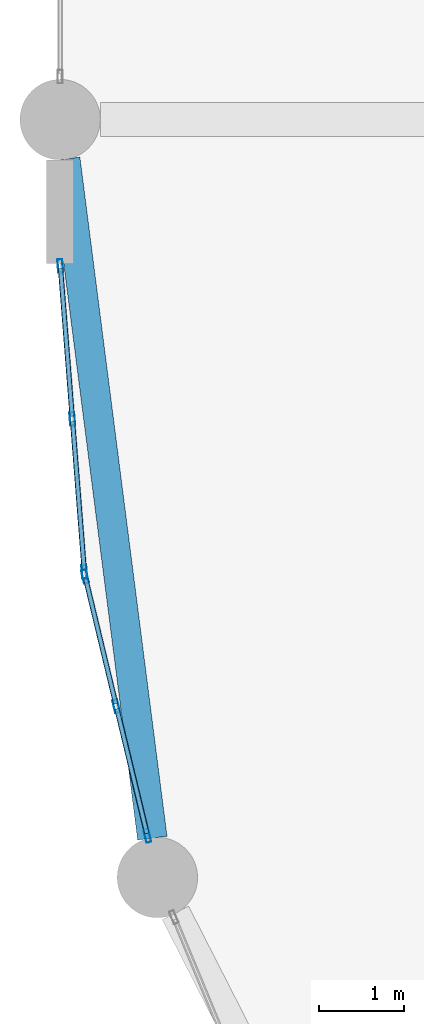
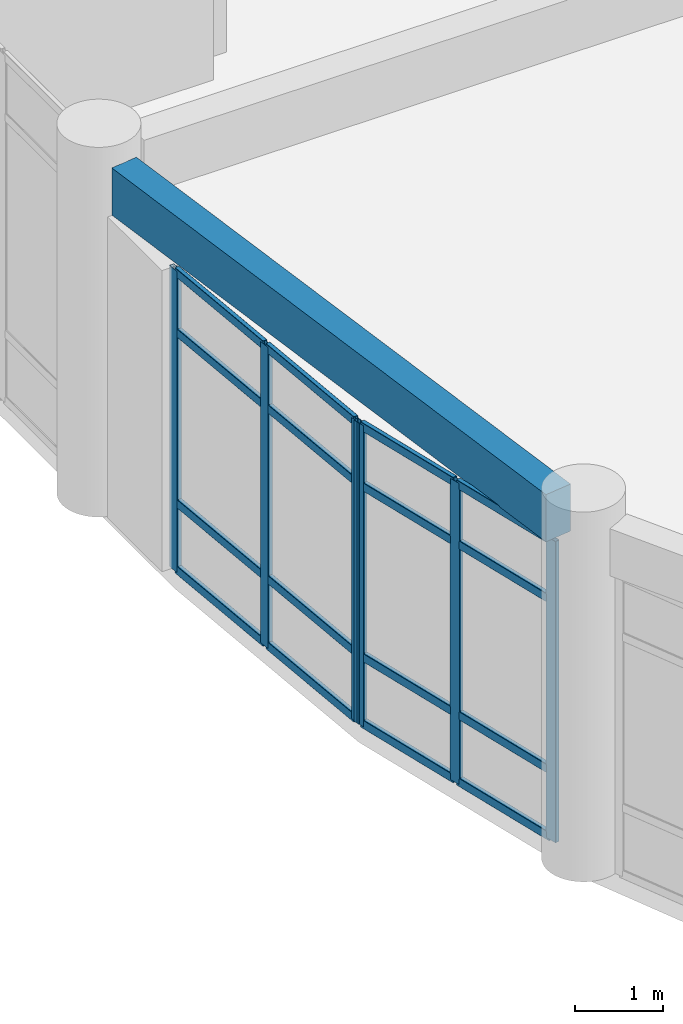
# One storey, part 8 of 120: 22 members, 1 beam, 2 elements without a shape of their own.
"""IFC4 building model written with IfcOpenShell, lengths in metres."""

from ifc_helpers import new_model, si_unit, derived_unit, direction, frame, origin, origin_2d, place, context, subcontext, project, spatial, rectangle, hollow_rectangle, extrude, material, layer, layer_set, material_profile, profile_set, type_object, element, aggregate, save


model = new_model("IFC4")

# Units and contexts
model_context = context("Model", 3, precision=1e-05, world=origin(), true_north=direction((0.0, 1.0)))
body_context = subcontext(model_context, "Body", "Model", "MODEL_VIEW")
ifc_project = project(units=[si_unit("LENGTHUNIT", "METRE"), si_unit("AREAUNIT", "SQUARE_METRE"), si_unit("VOLUMEUNIT", "CUBIC_METRE"), si_unit("PLANEANGLEUNIT", "RADIAN"), si_unit("MASSUNIT", "GRAM", prefix="KILO"), derived_unit("THERMALTRANSMITTANCEUNIT", [(si_unit("MASSUNIT", "GRAM", prefix="KILO"), 1), (si_unit("TIMEUNIT", "SECOND"), -3), (si_unit("THERMODYNAMICTEMPERATUREUNIT", "KELVIN"), -1)])], contexts=[model_context])

# Site, building, storey
site_placement = place(None, origin())
site = spatial("IfcSite", under=ifc_project, at=site_placement, CompositionType="ELEMENT")
building_placement = place(site_placement, origin())
building = spatial("IfcBuilding", under=site, at=building_placement, Name="Qinzheling Arcade Emporium", CompositionType="ELEMENT")
storey_placement = place(building_placement, frame((0.0, 0.0, 11.39990234375)))
storey = spatial("IfcBuildingStorey", under=building, at=storey_placement, Name="L03", CompositionType="ELEMENT", Elevation=11.39990234375)

# Curtain wall, members
ifc_material_1 = material(Name="Anodised aluminium and solar-control double glazing", Category="aluminium")
ifc_layer = layer(ifc_material_1, 0.159912109375, Name="Anodised aluminium and solar-control double glazing", Category="aluminium")
ifc_layer_set = layer_set([ifc_layer], Name="Anodised aluminium and solar-control double glazing")
curtain_wall_type = type_object("IfcCurtainWallType", Name="Curved Ribbon Sales Curtain Wall", PredefinedType="NOTDEFINED", material=ifc_layer_set)
curtain_wall_1_placement = place(storey_placement, origin())
curtain_wall_1 = element("IfcCurtainWall", 1, at=curtain_wall_1_placement, inside=storey, type_object=curtain_wall_type, Name="Curtain Wall CW-L03-161", PredefinedType="NOTDEFINED")
ifc_material_2 = material(Name="Anodised aluminium 6063-T6", Category="aluminium")
ifc_material_profile_1 = material_profile(ifc_material_2, hollow_rectangle(XDim=0.06005859375, YDim=0.159912109375, WallThickness=0.00390625, InnerFilletRadius=0.00390625, OuterFilletRadius=0.008056640625, at=origin_2d()), Name="RHS 160x60x4", Category="aluminium")
ifc_profile_set_1 = profile_set([ifc_material_profile_1], Name="Anodised aluminium 6063-T6")
member_type_1 = type_object("IfcMemberType", Name="Curtain Wall Mullion RHS160x60", PredefinedType="MULLION", material=ifc_profile_set_1)
member_1_placement = place(storey_placement, frame((1.031982421875, 16.731201171875, 0.0), z_axis=(0.0, 0.0, 1.0), x_axis=(-0.972336391972, -0.233584975646, 0.0)))
member_1 = element("IfcMember", 2, at=member_1_placement, type_object=member_type_1, Name="CW02 mullion 1", PredefinedType="MULLION", context=body_context, shape_type="SweptSolid", body=[
    extrude(hollow_rectangle(XDim=0.06005859375, YDim=0.159912109375, WallThickness=0.00390625, InnerFilletRadius=0.00390625, OuterFilletRadius=0.008056640625, at=origin_2d()), origin(), (0.0, 0.0, 1.0), 4.155029296875),
])
member_2_placement = place(storey_placement, frame((0.6640625, 18.262939453125, 0.0), z_axis=(0.0, 0.0, 1.0), x_axis=(-0.972336391972, -0.233584975646, 0.0)))
member_2 = element("IfcMember", 3, at=member_2_placement, type_object=member_type_1, Name="CW02 mullion 2", PredefinedType="MULLION", context=body_context, shape_type="SweptSolid", body=[
    extrude(hollow_rectangle(XDim=0.06005859375, YDim=0.159912109375, WallThickness=0.00390625, InnerFilletRadius=0.00390625, OuterFilletRadius=0.008056640625, at=origin_2d()), origin(), (0.0, 0.0, 1.0), 4.155029296875),
])
member_3_placement = place(storey_placement, frame((0.2958984375, 19.794921875, 0.0), z_axis=(0.0, 0.0, 1.0), x_axis=(-0.972336391972, -0.233584975646, 0.0)))
member_3 = element("IfcMember", 4, at=member_3_placement, type_object=member_type_1, Name="CW02 mullion 3", PredefinedType="MULLION", context=body_context, shape_type="SweptSolid", body=[
    extrude(hollow_rectangle(XDim=0.06005859375, YDim=0.159912109375, WallThickness=0.00390625, InnerFilletRadius=0.00390625, OuterFilletRadius=0.008056640625, at=origin_2d()), origin(), (0.0, 0.0, 1.0), 4.155029296875),
])

curtain_wall_2_placement = place(storey_placement, origin())
curtain_wall_2 = element("IfcCurtainWall", 5, at=curtain_wall_2_placement, inside=storey, type_object=curtain_wall_type, Name="Curtain Wall CW-L03-162", PredefinedType="NOTDEFINED")
member_4_placement = place(storey_placement, frame((0.28662109375, 19.85400390625, 0.0), z_axis=(0.0, 0.0, 1.0), x_axis=(-0.996923852542, -0.078376222365, 0.0)))
member_4 = element("IfcMember", 6, at=member_4_placement, type_object=member_type_1, Name="CW02 mullion 1", PredefinedType="MULLION", context=body_context, shape_type="SweptSolid", body=[
    extrude(hollow_rectangle(XDim=0.06005859375, YDim=0.159912109375, WallThickness=0.00390625, InnerFilletRadius=0.00390625, OuterFilletRadius=0.008056640625, at=origin_2d()), origin(), (0.0, 0.0, 1.0), 4.155029296875),
])
member_5_placement = place(storey_placement, frame((0.14453125, 21.662109375, 0.0), z_axis=(0.0, 0.0, 1.0), x_axis=(-0.996923852542, -0.078376222365, 0.0)))
member_5 = element("IfcMember", 7, at=member_5_placement, type_object=member_type_1, Name="CW02 mullion 2", PredefinedType="MULLION", context=body_context, shape_type="SweptSolid", body=[
    extrude(hollow_rectangle(XDim=0.06005859375, YDim=0.159912109375, WallThickness=0.00390625, InnerFilletRadius=0.00390625, OuterFilletRadius=0.008056640625, at=origin_2d()), origin(), (0.0, 0.0, 1.0), 4.155029296875),
])
member_6_placement = place(storey_placement, frame((0.00244140625, 23.469970703125, 0.0), z_axis=(0.0, 0.0, 1.0), x_axis=(-0.996923852542, -0.078376222365, 0.0)))
member_6 = element("IfcMember", 8, at=member_6_placement, type_object=member_type_1, Name="CW02 mullion 3", PredefinedType="MULLION", context=body_context, shape_type="SweptSolid", body=[
    extrude(hollow_rectangle(XDim=0.06005859375, YDim=0.159912109375, WallThickness=0.00390625, InnerFilletRadius=0.00390625, OuterFilletRadius=0.008056640625, at=origin_2d()), origin(), (0.0, 0.0, 1.0), 4.155029296875),
])

# Member
ifc_material_profile_2 = material_profile(ifc_material_2, hollow_rectangle(XDim=0.06005859375, YDim=0.1201171875, WallThickness=0.00390625, InnerFilletRadius=0.00390625, OuterFilletRadius=0.008056640625, at=origin_2d()), Name="RHS 120x60x4", Category="aluminium")
ifc_profile_set_2 = profile_set([ifc_material_profile_2], Name="Anodised aluminium 6063-T6")
member_type_2 = type_object("IfcMemberType", Name="Curtain Wall Transom RHS120x60", PredefinedType="USERDEFINED", material=ifc_profile_set_2)
member_7_placement = place(storey_placement, frame((1.02490234375, 16.76025390625, 0.030029296875), z_axis=(-0.233580097352, 0.972337563874, 0.0), x_axis=(-0.972337563874, -0.233580097352, 0.0)))
member_7 = element("IfcMember", 9, at=member_7_placement, type_object=member_type_2, Name="CW02 transom 1.1", ObjectType="TRANSOM", PredefinedType="USERDEFINED", context=body_context, shape_type="SweptSolid", body=[
    extrude(hollow_rectangle(XDim=0.06005859375, YDim=0.1201171875, WallThickness=0.00390625, InnerFilletRadius=0.00390625, OuterFilletRadius=0.008056640625, at=origin_2d()), origin(), (0.0, 0.0, 1.0), 1.515625),
])

member_8_placement = place(storey_placement, frame((1.02490234375, 16.76025390625, 0.9501953125), z_axis=(-0.233580097352, 0.972337563874, 0.0), x_axis=(-0.972337563874, -0.233580097352, 0.0)))
member_8 = element("IfcMember", 10, at=member_8_placement, type_object=member_type_2, Name="CW02 transom 1.2", ObjectType="TRANSOM", PredefinedType="USERDEFINED", context=body_context, shape_type="SweptSolid", body=[
    extrude(hollow_rectangle(XDim=0.06005859375, YDim=0.1201171875, WallThickness=0.00390625, InnerFilletRadius=0.00390625, OuterFilletRadius=0.008056640625, at=origin_2d()), origin(), (0.0, 0.0, 1.0), 1.515625),
])

member_9_placement = place(storey_placement, frame((1.02490234375, 16.76025390625, 3.30517578125), z_axis=(-0.233580097352, 0.972337563874, 0.0), x_axis=(-0.972337563874, -0.233580097352, 0.0)))
member_9 = element("IfcMember", 11, at=member_9_placement, type_object=member_type_2, Name="CW02 transom 1.3", ObjectType="TRANSOM", PredefinedType="USERDEFINED", context=body_context, shape_type="SweptSolid", body=[
    extrude(hollow_rectangle(XDim=0.06005859375, YDim=0.1201171875, WallThickness=0.00390625, InnerFilletRadius=0.00390625, OuterFilletRadius=0.008056640625, at=origin_2d()), origin(), (0.0, 0.0, 1.0), 1.515625),
])

member_10_placement = place(storey_placement, frame((1.02490234375, 16.76025390625, 4.125), z_axis=(-0.233580097352, 0.972337563874, 0.0), x_axis=(-0.972337563874, -0.233580097352, 0.0)))
member_10 = element("IfcMember", 12, at=member_10_placement, type_object=member_type_2, Name="CW02 transom 1.4", ObjectType="TRANSOM", PredefinedType="USERDEFINED", context=body_context, shape_type="SweptSolid", body=[
    extrude(hollow_rectangle(XDim=0.06005859375, YDim=0.1201171875, WallThickness=0.00390625, InnerFilletRadius=0.00390625, OuterFilletRadius=0.008056640625, at=origin_2d()), origin(), (0.0, 0.0, 1.0), 1.515625),
])

member_11_placement = place(storey_placement, frame((0.656982421875, 18.292236328125, 0.030029296875), z_axis=(-0.233616689407, 0.972328772808, 0.0), x_axis=(-0.972328772808, -0.233616689407, 0.0)))
member_11 = element("IfcMember", 13, at=member_11_placement, type_object=member_type_2, Name="CW02 transom 2.1", ObjectType="TRANSOM", PredefinedType="USERDEFINED", context=body_context, shape_type="SweptSolid", body=[
    extrude(hollow_rectangle(XDim=0.06005859375, YDim=0.1201171875, WallThickness=0.00390625, InnerFilletRadius=0.00390625, OuterFilletRadius=0.008056640625, at=origin_2d()), origin(), (0.0, 0.0, 1.0), 1.515380859375),
])

member_12_placement = place(storey_placement, frame((0.656982421875, 18.292236328125, 0.9501953125), z_axis=(-0.233616689407, 0.972328772808, 0.0), x_axis=(-0.972328772808, -0.233616689407, 0.0)))
member_12 = element("IfcMember", 14, at=member_12_placement, type_object=member_type_2, Name="CW02 transom 2.2", ObjectType="TRANSOM", PredefinedType="USERDEFINED", context=body_context, shape_type="SweptSolid", body=[
    extrude(hollow_rectangle(XDim=0.06005859375, YDim=0.1201171875, WallThickness=0.00390625, InnerFilletRadius=0.00390625, OuterFilletRadius=0.008056640625, at=origin_2d()), origin(), (0.0, 0.0, 1.0), 1.515380859375),
])

member_13_placement = place(storey_placement, frame((0.656982421875, 18.292236328125, 3.30517578125), z_axis=(-0.233616689407, 0.972328772808, 0.0), x_axis=(-0.972328772808, -0.233616689407, 0.0)))
member_13 = element("IfcMember", 15, at=member_13_placement, type_object=member_type_2, Name="CW02 transom 2.3", ObjectType="TRANSOM", PredefinedType="USERDEFINED", context=body_context, shape_type="SweptSolid", body=[
    extrude(hollow_rectangle(XDim=0.06005859375, YDim=0.1201171875, WallThickness=0.00390625, InnerFilletRadius=0.00390625, OuterFilletRadius=0.008056640625, at=origin_2d()), origin(), (0.0, 0.0, 1.0), 1.515380859375),
])

member_14_placement = place(storey_placement, frame((0.656982421875, 18.292236328125, 4.125), z_axis=(-0.233616689407, 0.972328772808, 0.0), x_axis=(-0.972328772808, -0.233616689407, 0.0)))
member_14 = element("IfcMember", 16, at=member_14_placement, type_object=member_type_2, Name="CW02 transom 2.4", ObjectType="TRANSOM", PredefinedType="USERDEFINED", context=body_context, shape_type="SweptSolid", body=[
    extrude(hollow_rectangle(XDim=0.06005859375, YDim=0.1201171875, WallThickness=0.00390625, InnerFilletRadius=0.00390625, OuterFilletRadius=0.008056640625, at=origin_2d()), origin(), (0.0, 0.0, 1.0), 1.515380859375),
])

aggregate(curtain_wall_1, [member_1, member_2, member_3, member_7, member_8, member_9, member_10, member_11, member_12, member_13, member_14])

member_15_placement = place(storey_placement, frame((0.2841796875, 19.8837890625, 0.030029296875), z_axis=(-0.078240080308, 0.996934546414, 0.0), x_axis=(-0.996934546414, -0.078240080308, 0.0)))
member_15 = element("IfcMember", 17, at=member_15_placement, type_object=member_type_2, Name="CW02 transom 1.1", ObjectType="TRANSOM", PredefinedType="USERDEFINED", context=body_context, shape_type="SweptSolid", body=[
    extrude(hollow_rectangle(XDim=0.06005859375, YDim=0.1201171875, WallThickness=0.00390625, InnerFilletRadius=0.00390625, OuterFilletRadius=0.008056640625, at=origin_2d()), origin(), (0.0, 0.0, 1.0), 1.753662109375),
])

member_16_placement = place(storey_placement, frame((0.2841796875, 19.8837890625, 0.9501953125), z_axis=(-0.078240080308, 0.996934546414, 0.0), x_axis=(-0.996934546414, -0.078240080308, 0.0)))
member_16 = element("IfcMember", 18, at=member_16_placement, type_object=member_type_2, Name="CW02 transom 1.2", ObjectType="TRANSOM", PredefinedType="USERDEFINED", context=body_context, shape_type="SweptSolid", body=[
    extrude(hollow_rectangle(XDim=0.06005859375, YDim=0.1201171875, WallThickness=0.00390625, InnerFilletRadius=0.00390625, OuterFilletRadius=0.008056640625, at=origin_2d()), origin(), (0.0, 0.0, 1.0), 1.753662109375),
])

member_17_placement = place(storey_placement, frame((0.2841796875, 19.8837890625, 3.30517578125), z_axis=(-0.078240080308, 0.996934546414, 0.0), x_axis=(-0.996934546414, -0.078240080308, 0.0)))
member_17 = element("IfcMember", 19, at=member_17_placement, type_object=member_type_2, Name="CW02 transom 1.3", ObjectType="TRANSOM", PredefinedType="USERDEFINED", context=body_context, shape_type="SweptSolid", body=[
    extrude(hollow_rectangle(XDim=0.06005859375, YDim=0.1201171875, WallThickness=0.00390625, InnerFilletRadius=0.00390625, OuterFilletRadius=0.008056640625, at=origin_2d()), origin(), (0.0, 0.0, 1.0), 1.753662109375),
])

member_18_placement = place(storey_placement, frame((0.2841796875, 19.8837890625, 4.125), z_axis=(-0.078240080308, 0.996934546414, 0.0), x_axis=(-0.996934546414, -0.078240080308, 0.0)))
member_18 = element("IfcMember", 20, at=member_18_placement, type_object=member_type_2, Name="CW02 transom 1.4", ObjectType="TRANSOM", PredefinedType="USERDEFINED", context=body_context, shape_type="SweptSolid", body=[
    extrude(hollow_rectangle(XDim=0.06005859375, YDim=0.1201171875, WallThickness=0.00390625, InnerFilletRadius=0.00390625, OuterFilletRadius=0.008056640625, at=origin_2d()), origin(), (0.0, 0.0, 1.0), 1.753662109375),
])

member_19_placement = place(storey_placement, frame((0.14208984375, 21.69189453125, 0.030029296875), z_axis=(-0.078378443051, 0.996923677954, 0.0), x_axis=(-0.996923677954, -0.078378443051, 0.0)))
member_19 = element("IfcMember", 21, at=member_19_placement, type_object=member_type_2, Name="CW02 transom 2.1", ObjectType="TRANSOM", PredefinedType="USERDEFINED", context=body_context, shape_type="SweptSolid", body=[
    extrude(hollow_rectangle(XDim=0.06005859375, YDim=0.1201171875, WallThickness=0.00390625, InnerFilletRadius=0.00390625, OuterFilletRadius=0.008056640625, at=origin_2d()), origin(), (0.0, 0.0, 1.0), 1.753662109375),
])

member_20_placement = place(storey_placement, frame((0.14208984375, 21.69189453125, 0.9501953125), z_axis=(-0.078378443051, 0.996923677954, 0.0), x_axis=(-0.996923677954, -0.078378443051, 0.0)))
member_20 = element("IfcMember", 22, at=member_20_placement, type_object=member_type_2, Name="CW02 transom 2.2", ObjectType="TRANSOM", PredefinedType="USERDEFINED", context=body_context, shape_type="SweptSolid", body=[
    extrude(hollow_rectangle(XDim=0.06005859375, YDim=0.1201171875, WallThickness=0.00390625, InnerFilletRadius=0.00390625, OuterFilletRadius=0.008056640625, at=origin_2d()), origin(), (0.0, 0.0, 1.0), 1.753662109375),
])

member_21_placement = place(storey_placement, frame((0.14208984375, 21.69189453125, 3.30517578125), z_axis=(-0.078378443051, 0.996923677954, 0.0), x_axis=(-0.996923677954, -0.078378443051, 0.0)))
member_21 = element("IfcMember", 23, at=member_21_placement, type_object=member_type_2, Name="CW02 transom 2.3", ObjectType="TRANSOM", PredefinedType="USERDEFINED", context=body_context, shape_type="SweptSolid", body=[
    extrude(hollow_rectangle(XDim=0.06005859375, YDim=0.1201171875, WallThickness=0.00390625, InnerFilletRadius=0.00390625, OuterFilletRadius=0.008056640625, at=origin_2d()), origin(), (0.0, 0.0, 1.0), 1.753662109375),
])

member_22_placement = place(storey_placement, frame((0.14208984375, 21.69189453125, 4.125), z_axis=(-0.078378443051, 0.996923677954, 0.0), x_axis=(-0.996923677954, -0.078378443051, 0.0)))
member_22 = element("IfcMember", 24, at=member_22_placement, type_object=member_type_2, Name="CW02 transom 2.4", ObjectType="TRANSOM", PredefinedType="USERDEFINED", context=body_context, shape_type="SweptSolid", body=[
    extrude(hollow_rectangle(XDim=0.06005859375, YDim=0.1201171875, WallThickness=0.00390625, InnerFilletRadius=0.00390625, OuterFilletRadius=0.008056640625, at=origin_2d()), origin(), (0.0, 0.0, 1.0), 1.753662109375),
])

aggregate(curtain_wall_2, [member_4, member_5, member_6, member_15, member_16, member_17, member_18, member_19, member_20, member_21, member_22])

# Beam
ifc_material_3 = material(Name="Concrete C40", Category="concrete")
ifc_material_profile_3 = material_profile(ifc_material_3, rectangle(XDim=0.35009765625, YDim=0.64990234375, at=origin_2d()), Name="RC 350x650", Category="concrete")
ifc_profile_set_3 = profile_set([ifc_material_profile_3], Name="Concrete C40")
beam_type = type_object("IfcBeamType", Name="RC Spandrel Edge Beam 350x650 C40", PredefinedType="SPANDREL", material=ifc_profile_set_3)
beam_placement = place(storey_placement, frame((0.06005859375, 24.73388671875, 4.4951171875), z_axis=(0.127233544764, -0.991872786746, 0.0), x_axis=(0.991872786746, 0.127233544764, 0.0)))
element("IfcBeam", 25, at=beam_placement, inside=storey, type_object=beam_type, Name="Curved Arcade Spandrel BM-L03-CV1-B01", PredefinedType="SPANDREL", context=body_context, shape_type="SweptSolid", body=[
    extrude(rectangle(XDim=0.35009765625, YDim=0.64990234375, at=origin_2d()), origin(), (0.0, 0.0, 1.0), 8.095458984375),
])

save(model, "model.ifc")
